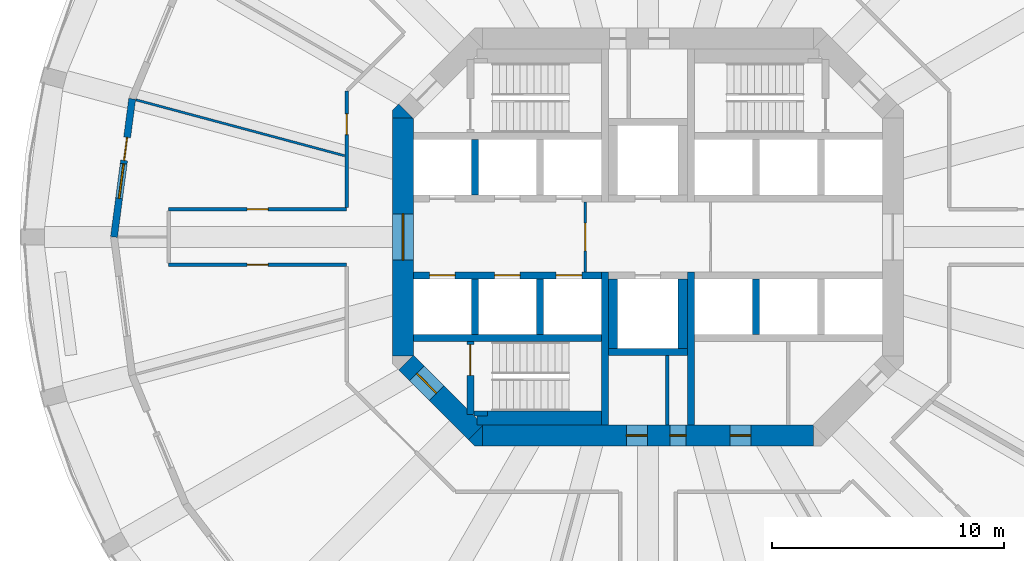
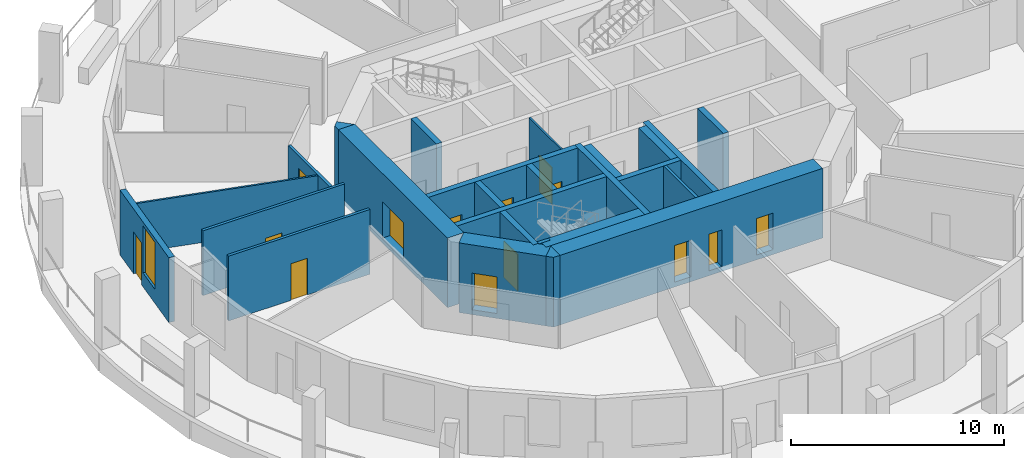
# One storey, part 3 of 9: 26 walls, 14 doors, 1 window, 15 openings.
"""IFC4 building model written with IfcOpenShell, lengths in metres."""

from ifc_helpers import new_model, si_unit, direction, frame, frame_2d, origin, place, context, subcontext, project, spatial, polyline, rectangle, outline, extrude, material, layer, layer_set, type_object, element, fill, save


model = new_model("IFC4")

# Units and contexts
model_context = context("Model", 3, precision=1e-05, world=origin(), true_north=direction((0.0, 1.0)))
body_context = subcontext(model_context, "Body", "Model", "MODEL_VIEW")
ifc_project = project(units=[si_unit("LENGTHUNIT", "METRE"), si_unit("AREAUNIT", "SQUARE_METRE"), si_unit("VOLUMEUNIT", "CUBIC_METRE"), si_unit("PLANEANGLEUNIT", "RADIAN"), si_unit("MASSUNIT", "GRAM", prefix="KILO")], contexts=[model_context])

# Site, building, storey
site_placement = place(None, origin())
site = spatial("IfcSite", under=ifc_project, at=site_placement, CompositionType="ELEMENT")
building_placement = place(site_placement, origin())
building = spatial("IfcBuilding", under=site, at=building_placement, Name="Torre Triforio", CompositionType="ELEMENT")
storey_placement = place(building_placement, frame((0.0, 0.0, 27.0)))
storey = spatial("IfcBuildingStorey", under=building, at=storey_placement, Name="L04", CompositionType="ELEMENT", Elevation=27.0)

# Walls
ifc_material_1 = material(Name="Concrete C60", Category="concrete")
ifc_layer_1 = layer(ifc_material_1, 0.300048828125)
ifc_layer_set_1 = layer_set([ifc_layer_1], Name="Concrete C60")
wall_type_1 = type_object("IfcWallType", Name="Core wall 300 mm C60 EI 120", PredefinedType="SHEAR", material=ifc_layer_set_1)
for number, where, z_axis, x_axis, name in (
    (1, (-1.85009765625, -8.10009765625, 0.0), (0.0, 0.0, 1.0), (0.0, 1.0, 0.0), "Core wall"),
    (2, (1.85009765625, -8.10009765625, 0.0), (0.0, 0.0, 1.0), (0.0, 1.0, 0.0), "Core wall"),
):
    element("IfcWall", number, at=place(storey_placement, frame(where, z_axis=z_axis, x_axis=x_axis)), inside=storey, type_object=wall_type_1, Name=name, PredefinedType="SHEAR", context=body_context, shape_type="SweptSolid", body=[
        extrude(rectangle(XDim=6.60009765625, YDim=0.300048828125, at=frame_2d((3.300048828125, 0.0))), origin(), (0.0, 0.0, 1.0), 3.719970703125),
    ])

# Wall, openings, doors
ifc_layer_2 = layer(ifc_material_1, 0.89990234375)
ifc_layer_set_2 = layer_set([ifc_layer_2], Name="Concrete C60")
wall_type_2 = type_object("IfcWallType", Name="Core wall 900 mm C60 EI 120", PredefinedType="SHEAR", material=ifc_layer_set_2)
wall_1_placement = place(storey_placement, frame((-7.1298828125, -8.550048828125, -0.280029296875), z_axis=(0.0, 0.0, 1.0), x_axis=(1.0, 0.0, 0.0)))
wall_1 = element("IfcWall", 3, at=wall_1_placement, inside=storey, type_object=wall_type_2, Name="Core wall", PredefinedType="SHEAR", context=body_context, shape_type="SweptSolid", body=[
    extrude(rectangle(XDim=14.259765625, YDim=0.89990234375, at=frame_2d((7.1298828125, 0.0))), origin(), (0.0, 0.0, 1.0), 4.0),
])
opening_1_placement = place(wall_1_placement, frame((8.080078125, 0.0, 0.280029296875)))
opening_1 = element("IfcOpeningElement", 4, at=opening_1_placement, cuts=wall_1, Name="Opening RISER-S", PredefinedType="OPENING", context=body_context, shape_type="SweptSolid", body=[
    extrude(rectangle(XDim=0.699951171875, YDim=2.10009765625, at=frame_2d((0.35009765625, 1.050048828125))), frame((0.0, 0.4599609375, 0.0), z_axis=(0.0, -1.0, 0.0), x_axis=(1.0, 0.0, 0.0)), (0.0, 0.0, 1.0), 0.919921875),
])
opening_2_placement = place(wall_1_placement, frame((6.205078125, 0.0, 0.280029296875)))
opening_2 = element("IfcOpeningElement", 5, at=opening_2_placement, cuts=wall_1, Name="Opening SW-01B", PredefinedType="OPENING", context=body_context, shape_type="SweptSolid", body=[
    extrude(rectangle(XDim=0.89990234375, YDim=2.10009765625, at=frame_2d((0.449951171875, 1.050048828125))), frame((0.0, 0.4599609375, 0.0), z_axis=(0.0, -1.0, 0.0), x_axis=(1.0, 0.0, 0.0)), (0.0, 0.0, 1.0), 0.919921875),
])
opening_3_placement = place(wall_1_placement, frame((10.66748046875, 0.0, 0.280029296875)))
opening_3 = element("IfcOpeningElement", 6, at=opening_3_placement, cuts=wall_1, Name="Opening SE-01A", PredefinedType="OPENING", context=body_context, shape_type="SweptSolid", body=[
    extrude(rectangle(XDim=0.89990234375, YDim=2.10009765625, at=frame_2d((0.449951171875, 1.050048828125))), frame((0.0, 0.4599609375, 0.0), z_axis=(0.0, -1.0, 0.0), x_axis=(1.0, 0.0, 0.0)), (0.0, 0.0, 1.0), 0.919921875),
])
ifc_material_2 = material(Name="Hollow metal fire door leaf")
door_type_1 = type_object("IfcDoorType", Name="Riser door 700 x 2100 EI 60", OperationType="NOTDEFINED", PredefinedType="DOOR", material=ifc_material_2)
door_1_placement = place(opening_1_placement, origin())
door_1 = element("IfcDoor", 7, at=door_1_placement, inside=storey, type_object=door_type_1, Name="Core door RISER-S", OperationType="SINGLE_SWING_RIGHT", OverallHeight=2.10009765625, OverallWidth=0.699951171875, PredefinedType="DOOR", context=body_context, shape_type="SweptSolid", body=[
    extrude(rectangle(XDim=0.699951171875, YDim=2.10009765625, at=frame_2d((0.35009765625, 1.050048828125))), frame((0.0, 0.02490234375, 0.0), z_axis=(0.0, -1.0, 0.0), x_axis=(1.0, 0.0, 0.0)), (0.0, 0.0, 1.0), 0.050048828125),
])
fill(opening_1, door_1)
door_type_2 = type_object("IfcDoorType", Name="Room door 900 x 2100 EI 60", OperationType="NOTDEFINED", PredefinedType="DOOR", material=ifc_material_2)
door_2_placement = place(opening_2_placement, origin())
door_2 = element("IfcDoor", 8, at=door_2_placement, inside=storey, type_object=door_type_2, Name="Core door SW-01", OperationType="SINGLE_SWING_LEFT", OverallHeight=2.10009765625, OverallWidth=0.89990234375, PredefinedType="DOOR", context=body_context, shape_type="SweptSolid", body=[
    extrude(rectangle(XDim=0.89990234375, YDim=2.10009765625, at=frame_2d((0.449951171875, 1.050048828125))), frame((0.0, 0.02490234375, 0.0), z_axis=(0.0, -1.0, 0.0), x_axis=(1.0, 0.0, 0.0)), (0.0, 0.0, 1.0), 0.050048828125),
])
fill(opening_2, door_2)
door_3_placement = place(opening_3_placement, origin())
door_3 = element("IfcDoor", 9, at=door_3_placement, inside=storey, type_object=door_type_2, Name="Core door SE-01", OperationType="SINGLE_SWING_LEFT", OverallHeight=2.10009765625, OverallWidth=0.89990234375, PredefinedType="DOOR", context=body_context, shape_type="SweptSolid", body=[
    extrude(rectangle(XDim=0.89990234375, YDim=2.10009765625, at=frame_2d((0.449951171875, 1.050048828125))), frame((0.0, 0.02490234375, 0.0), z_axis=(0.0, -1.0, 0.0), x_axis=(1.0, 0.0, 0.0)), (0.0, 0.0, 1.0), 0.050048828125),
])
fill(opening_3, door_3)

# Wall, opening, door
wall_2_placement = place(storey_placement, frame((-10.550048828125, -5.1298828125, -0.280029296875), z_axis=(0.0, 0.0, 1.0), x_axis=(0.0, 1.0, 0.0)))
wall_2 = element("IfcWall", 10, at=wall_2_placement, inside=storey, type_object=wall_type_2, Name="Core wall", PredefinedType="SHEAR", context=body_context, shape_type="SweptSolid", body=[
    extrude(rectangle(XDim=10.259765625, YDim=0.89990234375, at=frame_2d((5.1298828125, 0.0))), origin(), (0.0, 0.0, 1.0), 4.0),
])
opening_4_placement = place(wall_2_placement, frame((4.1298828125, 0.0, 0.280029296875)))
opening_4 = element("IfcOpeningElement", 11, at=opening_4_placement, cuts=wall_2, Name="Opening W-RING", PredefinedType="OPENING", context=body_context, shape_type="SweptSolid", body=[
    extrude(rectangle(XDim=2.0, YDim=2.10009765625, at=frame_2d((1.0, 1.050048828125))), frame((0.0, 0.4599609375, 0.0), z_axis=(0.0, -1.0, 0.0), x_axis=(1.0, 0.0, 0.0)), (0.0, 0.0, 1.0), 0.919921875),
])
door_type_3 = type_object("IfcDoorType", Name="Lobby door 2000 x 2100 EI 60", OperationType="DOUBLE_DOOR_SINGLE_SWING", PredefinedType="DOOR", material=ifc_material_2)
door_4_placement = place(opening_4_placement, origin())
door_4 = element("IfcDoor", 12, at=door_4_placement, inside=storey, type_object=door_type_3, Name="Core door W-RING", OperationType="DOUBLE_DOOR_SINGLE_SWING", OverallHeight=2.10009765625, OverallWidth=2.0, PredefinedType="DOOR", context=body_context, shape_type="SweptSolid", body=[
    extrude(rectangle(XDim=2.0, YDim=2.10009765625, at=frame_2d((1.0, 1.050048828125))), frame((0.0, 0.02490234375, 0.0), z_axis=(0.0, -1.0, 0.0), x_axis=(1.0, 0.0, 0.0)), (0.0, 0.0, 1.0), 0.050048828125),
])
fill(opening_4, door_4)

wall_3_placement = place(storey_placement, frame((-7.418212890625, -8.418212890625, -0.280029296875), z_axis=(0.0, 0.0, 1.0), x_axis=(-0.707106781187, 0.707106781187, 0.0)))
wall_3 = element("IfcWall", 13, at=wall_3_placement, inside=storey, type_object=wall_type_2, Name="Core wall", PredefinedType="SHEAR", context=body_context, shape_type="SweptSolid", body=[
    extrude(rectangle(XDim=4.24267578125, YDim=0.89990234375, at=frame_2d((2.121337890625, 0.0))), origin(), (0.0, 0.0, 1.0), 4.0),
])
opening_5_placement = place(wall_3_placement, frame((2.392578125, 0.0, 0.280029296875)))
opening_5 = element("IfcOpeningElement", 14, at=opening_5_placement, cuts=wall_3, Name="Opening ST3-EXIT", PredefinedType="OPENING", context=body_context, shape_type="SweptSolid", body=[
    extrude(rectangle(XDim=1.199951171875, YDim=2.10009765625, at=frame_2d((0.60009765625, 1.050048828125))), frame((0.0, 0.4599609375, 0.0), z_axis=(0.0, -1.0, 0.0), x_axis=(1.0, 0.0, 0.0)), (0.0, 0.0, 1.0), 0.919921875),
])
door_type_4 = type_object("IfcDoorType", Name="Stair lobby door 1200 x 2100 EI 60", OperationType="NOTDEFINED", PredefinedType="DOOR", material=ifc_material_2)
door_5_placement = place(opening_5_placement, origin())
door_5 = element("IfcDoor", 15, at=door_5_placement, inside=storey, type_object=door_type_4, Name="Core door ST3-EXIT", OperationType="SINGLE_SWING_RIGHT", OverallHeight=2.10009765625, OverallWidth=1.199951171875, PredefinedType="DOOR", context=body_context, shape_type="SweptSolid", body=[
    extrude(rectangle(XDim=1.199951171875, YDim=2.10009765625, at=frame_2d((0.60009765625, 1.050048828125))), frame((0.0, 0.02490234375, 0.0), z_axis=(0.0, -1.0, 0.0), x_axis=(1.0, 0.0, 0.0)), (0.0, 0.0, 1.0), 0.050048828125),
])
fill(opening_5, door_5)

# Walls
wall_4_placement = place(storey_placement, frame((0.0, 0.0, -0.280029296875)))
element("IfcWall", 16, at=wall_4_placement, inside=storey, type_object=wall_type_2, Name="Core wall", PredefinedType="SHEAR", context=body_context, shape_type="SweptSolid", body=[
    extrude(outline(polyline([(-7.472900390625, -9.0), (-7.736328125, -8.736328125), (-7.1298828125, -8.1298828125), (-7.1298828125, -9.0), (-7.472900390625, -9.0)])), origin(), (0.0, 0.0, 1.0), 4.0),
])
wall_5_placement = place(storey_placement, frame((0.0, 0.0, -0.280029296875)))
element("IfcWall", 17, at=wall_5_placement, inside=storey, type_object=wall_type_2, Name="Core wall", PredefinedType="SHEAR", context=body_context, shape_type="SweptSolid", body=[
    extrude(outline(polyline([(-10.736328125, 5.736328125), (-10.1298828125, 5.1298828125), (-11.0, 5.1298828125), (-11.0, 5.472900390625), (-10.736328125, 5.736328125)])), origin(), (0.0, 0.0, 1.0), 4.0),
])

# Wall, opening, door
ifc_material_3 = material(Name="Plasterboard on metal studs")
ifc_layer_3 = layer(ifc_material_3, 0.14990234375)
ifc_layer_set_3 = layer_set([ifc_layer_3], Name="Plasterboard on metal studs")
wall_type_3 = type_object("IfcWallType", Name="Corridor and tenancy wall 150 mm EI 60", PredefinedType="PARTITIONING", material=ifc_layer_set_3)
wall_6_placement = place(storey_placement, frame((-12.97509765625, -1.199951171875, 0.0), z_axis=(0.0, 0.0, 1.0), x_axis=(-1.0, 0.0, 0.0)))
wall_6 = element("IfcWall", 18, at=wall_6_placement, inside=storey, type_object=wall_type_3, Name="Partition 12", PredefinedType="PARTITIONING", context=body_context, shape_type="SweptSolid", body=[
    extrude(rectangle(XDim=7.673583984375, YDim=0.14990234375, at=frame_2d((3.8369140625, 0.0))), origin(), (0.0, 0.0, 1.0), 3.719970703125),
])
opening_6_placement = place(wall_6_placement, frame((3.386962890625, 0.0, 0.0)))
opening_6 = element("IfcOpeningElement", 19, at=opening_6_placement, cuts=wall_6, Name="Opening N1-08", PredefinedType="OPENING", context=body_context, shape_type="SweptSolid", body=[
    extrude(rectangle(XDim=0.89990234375, YDim=2.10009765625, at=frame_2d((0.449951171875, 1.050048828125))), frame((0.0, 0.0849609375, 0.0), z_axis=(0.0, -1.0, 0.0), x_axis=(1.0, 0.0, 0.0)), (0.0, 0.0, 1.0), 0.169921875),
])
ifc_material_4 = material(Name="Timber", Category="wood")
door_type_5 = type_object("IfcDoorType", Name="Door 900 x 2100 single leaf EI 30", OperationType="NOTDEFINED", PredefinedType="DOOR", material=ifc_material_4)
door_6_placement = place(opening_6_placement, origin())
door_6 = element("IfcDoor", 20, at=door_6_placement, inside=storey, type_object=door_type_5, Name="Door N1-08", OperationType="SINGLE_SWING_RIGHT", OverallHeight=2.10009765625, OverallWidth=0.89990234375, PredefinedType="DOOR", context=body_context, shape_type="SweptSolid", body=[
    extrude(rectangle(XDim=0.89990234375, YDim=2.10009765625, at=frame_2d((0.449951171875, 1.050048828125))), frame((0.0, 0.02490234375, 0.0), z_axis=(0.0, -1.0, 0.0), x_axis=(1.0, 0.0, 0.0)), (0.0, 0.0, 1.0), 0.050048828125),
])
fill(opening_6, door_6)

wall_7_placement = place(storey_placement, frame((-20.648681640625, 1.199951171875, 0.0), z_axis=(0.0, 0.0, 1.0), x_axis=(1.0, 0.0, 0.0)))
wall_7 = element("IfcWall", 21, at=wall_7_placement, inside=storey, type_object=wall_type_3, Name="Partition 14", PredefinedType="PARTITIONING", context=body_context, shape_type="SweptSolid", body=[
    extrude(rectangle(XDim=7.673583984375, YDim=0.14990234375, at=frame_2d((3.8369140625, 0.0))), origin(), (0.0, 0.0, 1.0), 3.719970703125),
])
opening_7_placement = place(wall_7_placement, frame((3.386962890625, 0.0, 0.0)))
opening_7 = element("IfcOpeningElement", 22, at=opening_7_placement, cuts=wall_7, Name="Opening N1-07", PredefinedType="OPENING", context=body_context, shape_type="SweptSolid", body=[
    extrude(rectangle(XDim=0.89990234375, YDim=2.10009765625, at=frame_2d((0.449951171875, 1.050048828125))), frame((0.0, 0.0849609375, 0.0), z_axis=(0.0, -1.0, 0.0), x_axis=(1.0, 0.0, 0.0)), (0.0, 0.0, 1.0), 0.169921875),
])
door_7_placement = place(opening_7_placement, origin())
door_7 = element("IfcDoor", 23, at=door_7_placement, inside=storey, type_object=door_type_5, Name="Door N1-07", OperationType="SINGLE_SWING_RIGHT", OverallHeight=2.10009765625, OverallWidth=0.89990234375, PredefinedType="DOOR", context=body_context, shape_type="SweptSolid", body=[
    extrude(rectangle(XDim=0.89990234375, YDim=2.10009765625, at=frame_2d((0.449951171875, 1.050048828125))), frame((0.0, 0.02490234375, 0.0), z_axis=(0.0, -1.0, 0.0), x_axis=(1.0, 0.0, 0.0)), (0.0, 0.0, 1.0), 0.050048828125),
])
fill(opening_7, door_7)

wall_8_placement = place(storey_placement, frame((-12.97509765625, 1.27490234375, 0.0), z_axis=(0.0, 0.0, 1.0), x_axis=(0.0, 1.0, 0.0)))
wall_8 = element("IfcWall", 24, at=wall_8_placement, inside=storey, type_object=wall_type_3, Name="Partition 15", PredefinedType="PARTITIONING", context=body_context, shape_type="SweptSolid", body=[
    extrude(rectangle(XDim=5.01611328125, YDim=0.14990234375, at=frame_2d((2.508056640625, 0.0))), origin(), (0.0, 0.0, 1.0), 2.820068359375),
])
opening_8_placement = place(wall_8_placement, frame((3.1337890625, 0.0, 0.0)))
opening_8 = element("IfcOpeningElement", 25, at=opening_8_placement, cuts=wall_8, Name="Opening N1-06", PredefinedType="OPENING", context=body_context, shape_type="SweptSolid", body=[
    extrude(rectangle(XDim=0.89990234375, YDim=2.10009765625, at=frame_2d((0.449951171875, 1.050048828125))), frame((0.0, 0.0849609375, 0.0), z_axis=(0.0, -1.0, 0.0), x_axis=(1.0, 0.0, 0.0)), (0.0, 0.0, 1.0), 0.169921875),
])
door_8_placement = place(opening_8_placement, origin())
door_8 = element("IfcDoor", 26, at=door_8_placement, inside=storey, type_object=door_type_5, Name="Door N1-06", OperationType="SINGLE_SWING_LEFT", OverallHeight=2.10009765625, OverallWidth=0.89990234375, PredefinedType="DOOR", context=body_context, shape_type="SweptSolid", body=[
    extrude(rectangle(XDim=0.89990234375, YDim=2.10009765625, at=frame_2d((0.449951171875, 1.050048828125))), frame((0.0, 0.02490234375, 0.0), z_axis=(0.0, -1.0, 0.0), x_axis=(1.0, 0.0, 0.0)), (0.0, 0.0, 1.0), 0.050048828125),
])
fill(opening_8, door_8)

ifc_material_5 = material(Name="Block and board partition")
ifc_layer_4 = layer(ifc_material_5, 0.10009765625)
ifc_layer_set_4 = layer_set([ifc_layer_4], Name="Block and board partition")
wall_type_4 = type_object("IfcWallType", Name="Partition 100 mm EI 120", PredefinedType="PARTITIONING", material=ifc_layer_set_4)
wall_9_placement = place(storey_placement, frame((-2.699951171875, -1.5, 0.0), z_axis=(0.0, 0.0, 1.0), x_axis=(0.0, 1.0, 0.0)))
wall_9 = element("IfcWall", 27, at=wall_9_placement, inside=storey, type_object=wall_type_4, Name="Partition", PredefinedType="PARTITIONING", context=body_context, shape_type="SweptSolid", body=[
    extrude(rectangle(XDim=3.0, YDim=0.10009765625, at=frame_2d((1.5, 0.0))), origin(), (0.0, 0.0, 1.0), 3.719970703125),
])
opening_9_placement = place(wall_9_placement, frame((0.89990234375, 0.0, 0.0)))
opening_9 = element("IfcOpeningElement", 28, at=opening_9_placement, cuts=wall_9, Name="Opening FF-W", PredefinedType="OPENING", context=body_context, shape_type="SweptSolid", body=[
    extrude(rectangle(XDim=1.199951171875, YDim=2.10009765625, at=frame_2d((0.60009765625, 1.050048828125))), frame((0.0, 0.06005859375, 0.0), z_axis=(0.0, -1.0, 0.0), x_axis=(1.0, 0.0, 0.0)), (0.0, 0.0, 1.0), 0.1201171875),
])
door_type_6 = type_object("IfcDoorType", Name="Fire-fighting lobby door 1200 x 2100 EI 60", OperationType="NOTDEFINED", PredefinedType="DOOR", material=ifc_material_2)
door_9_placement = place(opening_9_placement, origin())
door_9 = element("IfcDoor", 29, at=door_9_placement, inside=storey, type_object=door_type_6, Name="Core door FF-W", OperationType="SINGLE_SWING_LEFT", OverallHeight=2.10009765625, OverallWidth=1.199951171875, PredefinedType="DOOR", context=body_context, shape_type="SweptSolid", body=[
    extrude(rectangle(XDim=1.199951171875, YDim=2.10009765625, at=frame_2d((0.60009765625, 1.050048828125))), frame((0.0, 0.02490234375, 0.0), z_axis=(0.0, -1.0, 0.0), x_axis=(1.0, 0.0, 0.0)), (0.0, 0.0, 1.0), 0.050048828125),
])
fill(opening_9, door_9)

# Walls
ifc_layer_5 = layer(ifc_material_3, 0.10009765625)
ifc_layer_set_5 = layer_set([ifc_layer_5], Name="Plasterboard on metal studs")
wall_type_5 = type_object("IfcWallType", Name="Partition 100 mm board on metal studs", PredefinedType="PARTITIONING", material=ifc_layer_set_5)
wall_10_placement = place(storey_placement, frame((-13.064208984375, 3.50048828125, 0.0), z_axis=(0.0, 0.0, 1.0), x_axis=(-0.965922655056, 0.258830880017, 0.0)))
element("IfcWall", 30, at=wall_10_placement, inside=storey, type_object=wall_type_5, Name="Partition 41", PredefinedType="PARTITIONING", context=body_context, shape_type="SweptSolid", body=[
    extrude(rectangle(XDim=9.311767578125, YDim=0.10009765625, at=frame_2d((4.65576171875, 0.0))), origin(), (0.0, 0.0, 1.0), 2.820068359375),
])
ifc_layer_6 = layer(ifc_material_5, 0.14990234375)
ifc_layer_set_6 = layer_set([ifc_layer_6], Name="Block and board partition")
wall_type_6 = type_object("IfcWallType", Name="Partition 150 mm EI 120", PredefinedType="PARTITIONING", material=ifc_layer_set_6)
wall_11_placement = place(storey_placement, frame((0.824951171875, -8.10009765625, 0.0), z_axis=(0.0, 0.0, 1.0), x_axis=(0.0, 1.0, 0.0)))
element("IfcWall", 31, at=wall_11_placement, inside=storey, type_object=wall_type_6, Name="Partition", PredefinedType="PARTITIONING", context=body_context, shape_type="SweptSolid", body=[
    extrude(rectangle(XDim=3.0, YDim=0.14990234375, at=frame_2d((1.5, 0.0))), origin(), (0.0, 0.0, 1.0), 3.719970703125),
])
ifc_layer_7 = layer(ifc_material_1, 0.300048828125)
ifc_layer_set_7 = layer_set([ifc_layer_7], Name="Concrete C60")
wall_type_7 = type_object("IfcWallType", Name="Shaft wall 300 mm C60 EI 120", PredefinedType="SOLIDWALL", material=ifc_layer_set_7)
wall_12_placement = place(storey_placement, frame((-10.10009765625, -4.35009765625, 0.0), z_axis=(0.0, 0.0, 1.0), x_axis=(1.0, 0.0, 0.0)))
element("IfcWall", 32, at=wall_12_placement, inside=storey, type_object=wall_type_7, Name="Shaft wall", PredefinedType="SOLIDWALL", context=body_context, shape_type="SweptSolid", body=[
    extrude(rectangle(XDim=8.10009765625, YDim=0.300048828125, at=frame_2d((4.050048828125, 0.0))), origin(), (0.0, 0.0, 1.0), 3.719970703125),
])

# Wall, openings, doors
wall_13_placement = place(storey_placement, frame((-10.10009765625, -1.64990234375, 0.0), z_axis=(0.0, 0.0, 1.0), x_axis=(1.0, 0.0, 0.0)))
wall_13 = element("IfcWall", 33, at=wall_13_placement, inside=storey, type_object=wall_type_7, Name="Shaft wall", PredefinedType="SOLIDWALL", context=body_context, shape_type="SweptSolid", body=[
    extrude(rectangle(XDim=8.10009765625, YDim=0.300048828125, at=frame_2d((4.050048828125, 0.0))), origin(), (0.0, 0.0, 1.0), 3.719970703125),
])
opening_10_placement = place(wall_13_placement, frame((0.699951171875, 0.0, 0.0)))
opening_10 = element("IfcOpeningElement", 34, at=opening_10_placement, cuts=wall_13, Name="Opening LD", PredefinedType="OPENING", context=body_context, shape_type="SweptSolid", body=[
    extrude(rectangle(XDim=1.10009765625, YDim=2.10009765625, at=frame_2d((0.550048828125, 1.050048828125))), frame((0.0, 0.159912109375, 0.0), z_axis=(0.0, -1.0, 0.0), x_axis=(1.0, 0.0, 0.0)), (0.0, 0.0, 1.0), 0.320068359375),
])
opening_11_placement = place(wall_13_placement, frame((3.5, 0.0, 0.0)))
opening_11 = element("IfcOpeningElement", 35, at=opening_11_placement, cuts=wall_13, Name="Opening LD", PredefinedType="OPENING", context=body_context, shape_type="SweptSolid", body=[
    extrude(rectangle(XDim=1.10009765625, YDim=2.10009765625, at=frame_2d((0.550048828125, 1.050048828125))), frame((0.0, 0.159912109375, 0.0), z_axis=(0.0, -1.0, 0.0), x_axis=(1.0, 0.0, 0.0)), (0.0, 0.0, 1.0), 0.320068359375),
])
opening_12_placement = place(wall_13_placement, frame((6.14990234375, 0.0, 0.0)))
opening_12 = element("IfcOpeningElement", 36, at=opening_12_placement, cuts=wall_13, Name="Opening LD", PredefinedType="OPENING", context=body_context, shape_type="SweptSolid", body=[
    extrude(rectangle(XDim=1.10009765625, YDim=2.10009765625, at=frame_2d((0.550048828125, 1.050048828125))), frame((0.0, 0.159912109375, 0.0), z_axis=(0.0, -1.0, 0.0), x_axis=(1.0, 0.0, 0.0)), (0.0, 0.0, 1.0), 0.320068359375),
])
door_type_7 = type_object("IfcDoorType", Name="Landing door 1100 x 2100 EI 60", OperationType="DOUBLE_DOOR_SLIDING", PredefinedType="DOOR", material=ifc_material_2)
door_10_placement = place(opening_10_placement, origin())
door_10 = element("IfcDoor", 37, at=door_10_placement, inside=storey, type_object=door_type_7, Name="Landing door LR4", OperationType="DOUBLE_DOOR_SLIDING", OverallHeight=2.10009765625, OverallWidth=1.10009765625, PredefinedType="DOOR", context=body_context, shape_type="SweptSolid", body=[
    extrude(rectangle(XDim=1.10009765625, YDim=2.10009765625, at=frame_2d((0.550048828125, 1.050048828125))), frame((0.0, 0.02490234375, 0.0), z_axis=(0.0, -1.0, 0.0), x_axis=(1.0, 0.0, 0.0)), (0.0, 0.0, 1.0), 0.050048828125),
])
fill(opening_10, door_10)
door_11_placement = place(opening_11_placement, origin())
door_11 = element("IfcDoor", 38, at=door_11_placement, inside=storey, type_object=door_type_7, Name="Landing door LR5", OperationType="DOUBLE_DOOR_SLIDING", OverallHeight=2.10009765625, OverallWidth=1.10009765625, PredefinedType="DOOR", context=body_context, shape_type="SweptSolid", body=[
    extrude(rectangle(XDim=1.10009765625, YDim=2.10009765625, at=frame_2d((0.550048828125, 1.050048828125))), frame((0.0, 0.02490234375, 0.0), z_axis=(0.0, -1.0, 0.0), x_axis=(1.0, 0.0, 0.0)), (0.0, 0.0, 1.0), 0.050048828125),
])
fill(opening_11, door_11)
door_12_placement = place(opening_12_placement, origin())
door_12 = element("IfcDoor", 39, at=door_12_placement, inside=storey, type_object=door_type_7, Name="Landing door LR6", OperationType="DOUBLE_DOOR_SLIDING", OverallHeight=2.10009765625, OverallWidth=1.10009765625, PredefinedType="DOOR", context=body_context, shape_type="SweptSolid", body=[
    extrude(rectangle(XDim=1.10009765625, YDim=2.10009765625, at=frame_2d((0.550048828125, 1.050048828125))), frame((0.0, 0.02490234375, 0.0), z_axis=(0.0, -1.0, 0.0), x_axis=(1.0, 0.0, 0.0)), (0.0, 0.0, 1.0), 0.050048828125),
])
fill(opening_12, door_12)

# Walls
for number, where, z_axis, x_axis, name in (
    (40, (-7.449951171875, 1.800048828125, 0.0), (0.0, 0.0, 1.0), (0.0, 1.0, 0.0), "Shaft wall"),
    (41, (-7.449951171875, -4.199951171875, 0.0), (0.0, 0.0, 1.0), (0.0, 1.0, 0.0), "Shaft wall"),
    (42, (-4.64990234375, -4.199951171875, 0.0), (0.0, 0.0, 1.0), (0.0, 1.0, 0.0), "Shaft wall"),
    (43, (4.64990234375, -4.199951171875, 0.0), (0.0, 0.0, 1.0), (0.0, 1.0, 0.0), "Shaft wall"),
):
    element("IfcWall", number, at=place(storey_placement, frame(where, z_axis=z_axis, x_axis=x_axis)), inside=storey, type_object=wall_type_7, Name=name, PredefinedType="SOLIDWALL", context=body_context, shape_type="SweptSolid", body=[
        extrude(rectangle(XDim=2.39990234375, YDim=0.300048828125, at=frame_2d((1.199951171875, 0.0))), origin(), (0.0, 0.0, 1.0), 3.719970703125),
    ])
wall_14_placement = place(storey_placement, frame((-1.699951171875, -4.949951171875, 0.0), z_axis=(0.0, 0.0, 1.0), x_axis=(1.0, 0.0, 0.0)))
element("IfcWall", 44, at=wall_14_placement, inside=storey, type_object=wall_type_7, Name="Shaft wall", PredefinedType="SOLIDWALL", context=body_context, shape_type="SweptSolid", body=[
    extrude(rectangle(XDim=3.39990234375, YDim=0.300048828125, at=frame_2d((1.699951171875, 0.0))), origin(), (0.0, 0.0, 1.0), 3.719970703125),
])
ifc_layer_8 = layer(ifc_material_1, 0.39990234375)
ifc_layer_set_8 = layer_set([ifc_layer_8], Name="Concrete C60")
wall_type_8 = type_object("IfcWallType", Name="Shaft wall 400 mm C60 EI 120", PredefinedType="SOLIDWALL", material=ifc_layer_set_8)
for number, where, z_axis, x_axis, name in (
    (45, (-1.5, -4.800048828125, 0.0), (0.0, 0.0, 1.0), (0.0, 1.0, 0.0), "Shaft wall"),
    (46, (1.5, -4.800048828125, 0.0), (0.0, 0.0, 1.0), (0.0, 1.0, 0.0), "Shaft wall"),
):
    element("IfcWall", number, at=place(storey_placement, frame(where, z_axis=z_axis, x_axis=x_axis)), inside=storey, type_object=wall_type_8, Name=name, PredefinedType="SOLIDWALL", context=body_context, shape_type="SweptSolid", body=[
        extrude(rectangle(XDim=3.0, YDim=0.39990234375, at=frame_2d((1.5, 0.0))), origin(), (0.0, 0.0, 1.0), 3.719970703125),
    ])
ifc_layer_9 = layer(ifc_material_1, 0.199951171875)
ifc_layer_set_9 = layer_set([ifc_layer_9], Name="Concrete C60")
wall_type_9 = type_object("IfcWallType", Name="Stair wall 200 mm C60 EI 120", PredefinedType="SHEAR", material=ifc_layer_set_9)
wall_15_placement = place(storey_placement, frame((-7.5, -7.60009765625, 0.0), z_axis=(0.0, 0.0, 1.0), x_axis=(1.0, 0.0, 0.0)))
element("IfcWall", 47, at=wall_15_placement, inside=storey, type_object=wall_type_9, Name="Stair wall", PredefinedType="SHEAR", context=body_context, shape_type="SweptSolid", body=[
    extrude(rectangle(XDim=0.60009765625, YDim=0.199951171875, at=frame_2d((0.300048828125, 0.0))), origin(), (0.0, 0.0, 1.0), 3.719970703125),
])

# Wall, opening, door
ifc_layer_10 = layer(ifc_material_1, 0.300048828125)
ifc_layer_set_10 = layer_set([ifc_layer_10], Name="Concrete C60")
wall_type_10 = type_object("IfcWallType", Name="Stair wall 300 mm C60 EI 120", PredefinedType="SHEAR", material=ifc_layer_set_10)
wall_16_placement = place(storey_placement, frame((-7.64990234375, -7.639892578125, 0.0), z_axis=(0.0, 0.0, 1.0), x_axis=(0.0, 1.0, 0.0)))
wall_16 = element("IfcWall", 48, at=wall_16_placement, inside=storey, type_object=wall_type_10, Name="Stair wall", PredefinedType="SHEAR", context=body_context, shape_type="SweptSolid", body=[
    extrude(rectangle(XDim=3.139892578125, YDim=0.300048828125, at=frame_2d((1.56982421875, 0.0))), origin(), (0.0, 0.0, 1.0), 3.719970703125),
])
opening_13_placement = place(wall_16_placement, frame((1.679931640625, 0.0, 0.0)))
opening_13 = element("IfcOpeningElement", 49, at=opening_13_placement, cuts=wall_16, Name="Opening ST3-STA", PredefinedType="OPENING", context=body_context, shape_type="SweptSolid", body=[
    extrude(rectangle(XDim=1.320068359375, YDim=2.10009765625, at=frame_2d((0.66015625, 1.050048828125))), frame((0.0, 0.159912109375, 0.0), z_axis=(0.0, -1.0, 0.0), x_axis=(1.0, 0.0, 0.0)), (0.0, 0.0, 1.0), 0.320068359375),
])
door_type_8 = type_object("IfcDoorType", Name="Stair door 1320 x 2100 EI 90", OperationType="DOUBLE_DOOR_SINGLE_SWING", PredefinedType="DOOR", material=ifc_material_2)
door_13_placement = place(opening_13_placement, origin())
door_13 = element("IfcDoor", 50, at=door_13_placement, inside=storey, type_object=door_type_8, Name="Core door ST3-ST", OperationType="DOUBLE_DOOR_SINGLE_SWING", OverallHeight=2.10009765625, OverallWidth=1.320068359375, PredefinedType="DOOR", context=body_context, shape_type="SweptSolid", body=[
    extrude(rectangle(XDim=1.320068359375, YDim=2.10009765625, at=frame_2d((0.66015625, 1.050048828125))), frame((0.0, 0.02490234375, 0.0), z_axis=(0.0, -1.0, 0.0), x_axis=(1.0, 0.0, 0.0)), (0.0, 0.0, 1.0), 0.050048828125),
])
fill(opening_13, door_13)

# Wall
ifc_layer_11 = layer(ifc_material_1, 0.60009765625)
ifc_layer_set_11 = layer_set([ifc_layer_11], Name="Concrete C60")
wall_type_11 = type_object("IfcWallType", Name="Stair wall 600 mm C60 EI 120", PredefinedType="SHEAR", material=ifc_layer_set_11)
wall_17_placement = place(storey_placement, frame((-7.3701171875, -7.800048828125, 0.0), z_axis=(0.0, 0.0, 1.0), x_axis=(1.0, 0.0, 0.0)))
element("IfcWall", 51, at=wall_17_placement, inside=storey, type_object=wall_type_11, Name="Stair wall", PredefinedType="SHEAR", context=body_context, shape_type="SweptSolid", body=[
    extrude(rectangle(XDim=5.3701171875, YDim=0.60009765625, at=frame_2d((2.68505859375, 0.0))), origin(), (0.0, 0.0, 1.0), 3.719970703125),
])

# Wall, openings, door, window
ifc_material_6 = material(Name="Limestone cladding", Category="masonry")
ifc_layer_12 = layer(ifc_material_6, 0.10009765625)
ifc_material_7 = material(Name="Concrete C40", Category="concrete")
ifc_layer_13 = layer(ifc_material_7, 0.199951171875)
ifc_layer_set_12 = layer_set([ifc_layer_12, ifc_layer_13], Name="Limestone cladding / Concrete C40")
wall_type_12 = type_object("IfcWallType", Name="Stone-faced composite wall 300", PredefinedType="STANDARD", material=ifc_layer_set_12)
wall_18_placement = place(storey_placement, frame((-22.21630859375, 5.952880859375, 0.0), z_axis=(0.0, 0.0, 1.0), x_axis=(-0.130522880875, -0.991445297315, 0.0)))
wall_18 = element("IfcWall", 52, at=wall_18_placement, inside=storey, type_object=wall_type_12, Name="External wall L04 bay 12", PredefinedType="STANDARD", context=body_context, shape_type="SweptSolid", body=[
    extrude(rectangle(XDim=6.004150390625, YDim=0.300048828125, at=frame_2d((3.001953125, 0.0))), origin(), (0.0, 0.0, 1.0), 3.719970703125),
])
opening_14_placement = place(wall_18_placement, frame((1.677001953125, 0.0, 0.0)))
opening_14 = element("IfcOpeningElement", 53, at=opening_14_placement, cuts=wall_18, Name="Opening N1-D12", PredefinedType="OPENING", context=body_context, shape_type="SweptSolid", body=[
    extrude(rectangle(XDim=1.0, YDim=2.39990234375, at=frame_2d((0.5, 1.199951171875))), frame((0.0, 0.159912109375, 0.0), z_axis=(0.0, -1.0, 0.0), x_axis=(1.0, 0.0, 0.0)), (0.0, 0.0, 1.0), 0.320068359375),
])
opening_15_placement = place(wall_18_placement, frame((2.8271484375, 0.0, 0.800048828125)))
opening_15 = element("IfcOpeningElement", 54, at=opening_15_placement, cuts=wall_18, Name="Opening N1-W12A", PredefinedType="OPENING", context=body_context, shape_type="SweptSolid", body=[
    extrude(rectangle(XDim=1.5, YDim=2.699951171875, at=frame_2d((0.75, 1.35009765625))), frame((0.0, 0.159912109375, 0.0), z_axis=(0.0, -1.0, 0.0), x_axis=(1.0, 0.0, 0.0)), (0.0, 0.0, 1.0), 0.320068359375),
])
ifc_material_8 = material(Name="Aluminium frame with clear double glazing", Category="aluminium")
door_type_9 = type_object("IfcDoorType", Name="Loggia door 1000 x 2400", OperationType="NOTDEFINED", PredefinedType="DOOR", material=ifc_material_8)
door_14_placement = place(opening_14_placement, origin())
door_14 = element("IfcDoor", 55, at=door_14_placement, inside=storey, type_object=door_type_9, Name="Loggia door L04 bay 12", OperationType="SINGLE_SWING_RIGHT", OverallHeight=2.39990234375, OverallWidth=1.0, PredefinedType="DOOR", context=body_context, shape_type="SweptSolid", body=[
    extrude(rectangle(XDim=1.0, YDim=2.39990234375, at=frame_2d((0.5, 1.199951171875))), frame((0.0, 0.02490234375, 0.0), z_axis=(0.0, -1.0, 0.0), x_axis=(1.0, 0.0, 0.0)), (0.0, 0.0, 1.0), 0.050048828125),
])
fill(opening_14, door_14)
window_type = type_object("IfcWindowType", Name="Side window 1500 x 2700", PartitioningType="SINGLE_PANEL", PredefinedType="WINDOW", material=ifc_material_8)
window_placement = place(opening_15_placement, origin())
window = element("IfcWindow", 56, at=window_placement, inside=storey, type_object=window_type, Name="Side window EWN12 L04 bay 12", OverallHeight=2.699951171875, OverallWidth=1.5, PartitioningType="SINGLE_PANEL", PredefinedType="WINDOW", context=body_context, shape_type="SweptSolid", body=[
    extrude(rectangle(XDim=1.5, YDim=2.699951171875, at=frame_2d((0.75, 1.35009765625))), frame((0.0, 0.030029296875, 0.0), z_axis=(0.0, -1.0, 0.0), x_axis=(1.0, 0.0, 0.0)), (0.0, 0.0, 1.0), 0.06005859375),
])
fill(opening_15, window)

save(model, "model.ifc")
